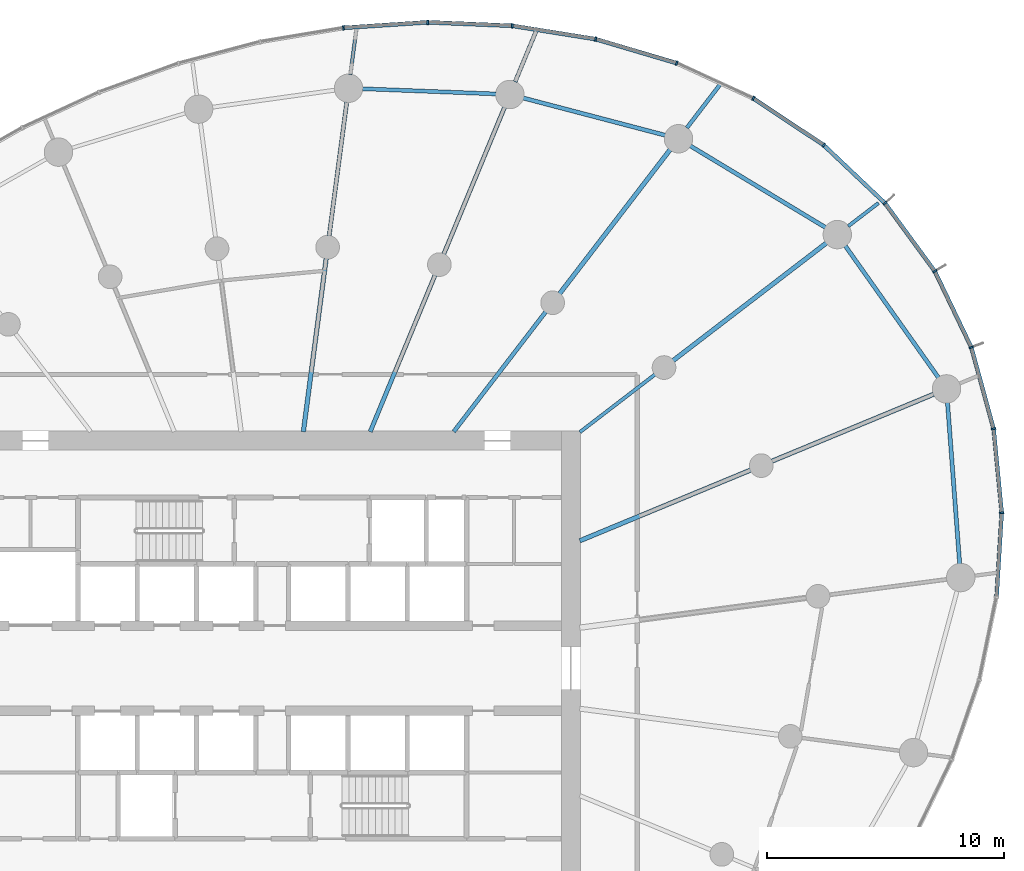
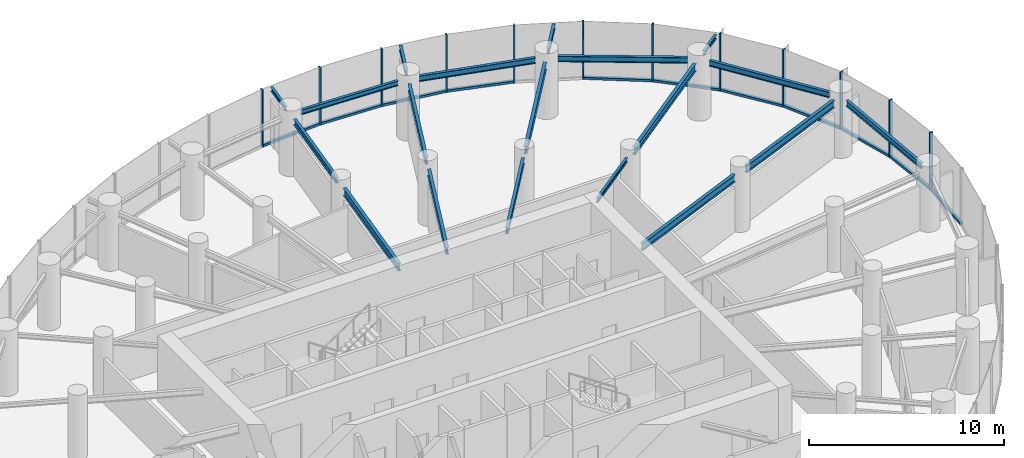
# One storey, part 7 of 17: 23 members, 19 beams, 4 elements without a shape of their own.
"""IFC4 building model written with IfcOpenShell, lengths in metres."""

from ifc_helpers import new_model, si_unit, direction, frame, origin, origin_2d, place, context, subcontext, project, spatial, rectangle, i_section, extrude, source, transform, mapped, material, layer, layer_set, material_profile, profile_set, type_object, element, aggregate, save


model = new_model("IFC4")

# Units and contexts
model_context = context("Model", 3, precision=1e-05, world=origin(), true_north=direction((0.0, 1.0)))
body_context = subcontext(model_context, "Body", "Model", "MODEL_VIEW")
ifc_project = project(units=[si_unit("LENGTHUNIT", "METRE"), si_unit("AREAUNIT", "SQUARE_METRE"), si_unit("VOLUMEUNIT", "CUBIC_METRE"), si_unit("PLANEANGLEUNIT", "RADIAN"), si_unit("MASSUNIT", "GRAM", prefix="KILO")], contexts=[model_context])

# Site, building, storey
site_placement = place(None, origin())
site = spatial("IfcSite", under=ifc_project, at=site_placement, CompositionType="ELEMENT")
building_placement = place(site_placement, origin())
building = spatial("IfcBuilding", under=site, at=building_placement, Name="Spindrift Exchange Tower", CompositionType="ELEMENT")
storey_placement = place(building_placement, frame((0.0, 0.0, 124.89990234375)))
storey = spatial("IfcBuildingStorey", under=building, at=storey_placement, Name="L29", CompositionType="ELEMENT", Elevation=124.89990234375)

# Beams
ifc_material_1 = material(Name="Steel Grade 300", Category="steel")
ifc_material_profile_1 = material_profile(ifc_material_1, i_section(OverallWidth=0.18994140625, OverallDepth=0.45703125, WebThickness=0.009033203125, FlangeThickness=0.014404296875, FilletRadius=0.013916015625, at=origin_2d()), Name="460UB74.6")
ifc_profile_set_1 = profile_set([ifc_material_profile_1], Name="Steel Grade 300")
beam_type_1 = type_object("IfcBeamType", Name="Floor Beam 460UB74.6 Steel Grade 300", PredefinedType="BEAM", material=ifc_profile_set_1)
shared_shape_1 = source(origin(), body_context, "Body", "SweptSolid", [
    extrude(i_section(OverallWidth=0.18994140625, OverallDepth=0.45703125, WebThickness=0.009033203125, FlangeThickness=0.014404296875, FilletRadius=0.013916015625, at=origin_2d()), origin(), (0.0, 0.0, 1.0), 7.808837890625),
])
beam_1_placement = place(storey_placement, frame((64.9814453125, 53.377197265625, 3.37158203125), z_axis=(0.92387965154, 0.382683145003, 0.0), x_axis=(-0.382683145003, 0.92387965154, 0.0)))
element("IfcBeam", 1, at=beam_1_placement, inside=storey, type_object=beam_type_1, Name="L29 radial beam R02A", PredefinedType="BEAM", context=body_context, shape_type="MappedRepresentation", body=[
    mapped(shared_shape_1, transform((0.0, 0.0, 0.0), scale=1.0)),
])
ifc_material_profile_2 = material_profile(ifc_material_1, i_section(OverallWidth=0.14599609375, OverallDepth=0.251953125, WebThickness=0.006103515625, FlangeThickness=0.008544921875, FilletRadius=0.011962890625, at=origin_2d()), Name="250UB31.4")
ifc_profile_set_2 = profile_set([ifc_material_profile_2], Name="Steel Grade 300")
beam_type_2 = type_object("IfcBeamType", Name="Floor Beam 250UB31.4 Steel Grade 300", PredefinedType="BEAM", material=ifc_profile_set_2)
shared_shape_2 = source(origin(), body_context, "Body", "SweptSolid", [
    extrude(i_section(OverallWidth=0.14599609375, OverallDepth=0.251953125, WebThickness=0.006103515625, FlangeThickness=0.008544921875, FilletRadius=0.011962890625, at=origin_2d()), origin(), (0.0, 0.0, 1.0), 3.99560546875),
])
beam_2_placement = place(storey_placement, frame((64.984130859375, 57.963134765625, 3.47412109375), z_axis=(0.793352561574, 0.608762443851, 0.0), x_axis=(-0.608762443851, 0.793352561574, 0.0)))
element("IfcBeam", 2, at=beam_2_placement, inside=storey, type_object=beam_type_2, Name="L29 radial beam R03A", PredefinedType="BEAM", context=body_context, shape_type="MappedRepresentation", body=[
    mapped(shared_shape_2, transform((0.0, 0.0, 0.0), scale=1.0)),
])
ifc_material_profile_3 = material_profile(ifc_material_1, i_section(OverallWidth=0.172119140625, OverallDepth=0.35888671875, WebThickness=0.008056640625, FlangeThickness=0.012939453125, FilletRadius=0.013916015625, at=origin_2d()), Name="360UB56.7")
ifc_profile_set_3 = profile_set([ifc_material_profile_3], Name="Steel Grade 300")
beam_type_3 = type_object("IfcBeamType", Name="Floor Beam 360UB56.7 Steel Grade 300", PredefinedType="BEAM", material=ifc_profile_set_3)
shared_shape_3 = source(origin(), body_context, "Body", "SweptSolid", [
    extrude(i_section(OverallWidth=0.172119140625, OverallDepth=0.35888671875, WebThickness=0.008056640625, FlangeThickness=0.012939453125, FilletRadius=0.013916015625, at=origin_2d()), origin(), (0.0, 0.0, 1.0), 6.37646484375),
])
beam_3_placement = place(storey_placement, frame((59.6611328125, 57.984130859375, 3.420654296875), z_axis=(0.608766669952, 0.793349318747, 0.0), x_axis=(-0.793349318747, 0.608766669952, 0.0)))
element("IfcBeam", 3, at=beam_3_placement, inside=storey, type_object=beam_type_3, Name="L29 radial beam R04A", PredefinedType="BEAM", context=body_context, shape_type="MappedRepresentation", body=[
    mapped(shared_shape_3, transform((0.0, 0.0, 0.0), scale=1.0)),
])
ifc_material_profile_4 = material_profile(ifc_material_1, i_section(OverallWidth=0.177978515625, OverallDepth=0.406005859375, WebThickness=0.0078125, FlangeThickness=0.0126953125, FilletRadius=0.013916015625, at=origin_2d()), Name="410UB59.7")
ifc_profile_set_4 = profile_set([ifc_material_profile_4], Name="Steel Grade 300")
beam_type_4 = type_object("IfcBeamType", Name="Floor Beam 410UB59.7 Steel Grade 300", PredefinedType="BEAM", material=ifc_profile_set_4)
shared_shape_4 = source(origin(), body_context, "Body", "SweptSolid", [
    extrude(i_section(OverallWidth=0.177978515625, OverallDepth=0.406005859375, WebThickness=0.0078125, FlangeThickness=0.0126953125, FilletRadius=0.013916015625, at=origin_2d()), origin(), (0.0, 0.0, 1.0), 7.150634765625),
])
beam_4_placement = place(storey_placement, frame((56.134521484375, 57.9814453125, 3.397216796875), z_axis=(0.382665393358, 0.923887004306, 0.0), x_axis=(-0.923887004306, 0.382665393358, 0.0)))
element("IfcBeam", 4, at=beam_4_placement, inside=storey, type_object=beam_type_4, Name="L29 radial beam R05A", PredefinedType="BEAM", context=body_context, shape_type="MappedRepresentation", body=[
    mapped(shared_shape_4, transform((0.0, 0.0, 0.0), scale=1.0)),
])
shared_shape_5 = source(origin(), body_context, "Body", "SweptSolid", [
    extrude(i_section(OverallWidth=0.18994140625, OverallDepth=0.45703125, WebThickness=0.009033203125, FlangeThickness=0.014404296875, FilletRadius=0.013916015625, at=origin_2d()), origin(), (0.0, 0.0, 1.0), 7.374267578125),
])
beam_5_placement = place(storey_placement, frame((53.31396484375, 57.980224609375, 3.37158203125), z_axis=(0.130539295622, 0.99144313619, 0.0), x_axis=(-0.99144313619, 0.130539295622, 0.0)))
element("IfcBeam", 5, at=beam_5_placement, inside=storey, type_object=beam_type_1, Name="L29 radial beam R06A", PredefinedType="BEAM", context=body_context, shape_type="MappedRepresentation", body=[
    mapped(shared_shape_5, transform((0.0, 0.0, 0.0), scale=1.0)),
])
shared_shape_6 = source(origin(), body_context, "Body", "SweptSolid", [
    extrude(i_section(OverallWidth=0.18994140625, OverallDepth=0.45703125, WebThickness=0.009033203125, FlangeThickness=0.014404296875, FilletRadius=0.013916015625, at=origin_2d()), origin(), (0.0, 0.0, 1.0), 7.400146484375),
])
beam_6_placement = place(storey_placement, frame((73.082763671875, 56.73291015625, 3.37158203125), z_axis=(0.923886957755, 0.382665505749, 0.0), x_axis=(-0.382665505749, 0.923886957755, 0.0)))
element("IfcBeam", 6, at=beam_6_placement, inside=storey, type_object=beam_type_1, Name="L29 radial beam R02B", PredefinedType="BEAM", context=body_context, shape_type="MappedRepresentation", body=[
    mapped(shared_shape_6, transform((0.0, 0.0, 0.0), scale=1.0)),
])
shared_shape_7 = source(origin(), body_context, "Body", "SweptSolid", [
    extrude(i_section(OverallWidth=0.18994140625, OverallDepth=0.45703125, WebThickness=0.009033203125, FlangeThickness=0.014404296875, FilletRadius=0.013916015625, at=origin_2d()), origin(), (0.0, 0.0, 1.0), 8.158447265625),
])
beam_7_placement = place(storey_placement, frame((68.91552734375, 60.979736328125, 3.37158203125), z_axis=(0.793358732539, 0.608754401631, 0.0), x_axis=(-0.608754401631, 0.793358732539, 0.0)))
element("IfcBeam", 7, at=beam_7_placement, inside=storey, type_object=beam_type_1, Name="L29 radial beam R03B", PredefinedType="BEAM", context=body_context, shape_type="MappedRepresentation", body=[
    mapped(shared_shape_7, transform((0.0, 0.0, 0.0), scale=1.0)),
])
shared_shape_8 = source(origin(), body_context, "Body", "SweptSolid", [
    extrude(i_section(OverallWidth=0.18994140625, OverallDepth=0.45703125, WebThickness=0.009033203125, FlangeThickness=0.014404296875, FilletRadius=0.013916015625, at=origin_2d()), origin(), (0.0, 0.0, 1.0), 7.663818359375),
])
beam_8_placement = place(storey_placement, frame((64.127197265625, 63.8046875, 3.37158203125), z_axis=(0.608771227503, 0.793345821546, 0.0), x_axis=(-0.793345821546, 0.608771227503, 0.0)))
element("IfcBeam", 8, at=beam_8_placement, inside=storey, type_object=beam_type_1, Name="L29 radial beam R04B", PredefinedType="BEAM", context=body_context, shape_type="MappedRepresentation", body=[
    mapped(shared_shape_8, transform((0.0, 0.0, 0.0), scale=1.0)),
])
shared_shape_9 = source(origin(), body_context, "Body", "SweptSolid", [
    extrude(i_section(OverallWidth=0.177978515625, OverallDepth=0.406005859375, WebThickness=0.0078125, FlangeThickness=0.0126953125, FilletRadius=0.013916015625, at=origin_2d()), origin(), (0.0, 0.0, 1.0), 6.71240234375),
])
beam_9_placement = place(storey_placement, frame((59.23828125, 65.474853515625, 3.397216796875), z_axis=(0.382669812754, 0.923885173821, 0.0), x_axis=(-0.923885173821, 0.382669812754, 0.0)))
element("IfcBeam", 9, at=beam_9_placement, inside=storey, type_object=beam_type_4, Name="L29 radial beam R05B", PredefinedType="BEAM", context=body_context, shape_type="MappedRepresentation", body=[
    mapped(shared_shape_9, transform((0.0, 0.0, 0.0), scale=1.0)),
])
shared_shape_10 = source(origin(), body_context, "Body", "SweptSolid", [
    extrude(i_section(OverallWidth=0.172119140625, OverallDepth=0.35888671875, WebThickness=0.008056640625, FlangeThickness=0.012939453125, FilletRadius=0.013916015625, at=origin_2d()), origin(), (0.0, 0.0, 1.0), 5.70751953125),
])
beam_10_placement = place(storey_placement, frame((54.40185546875, 66.2431640625, 3.420654296875), z_axis=(0.130507624881, 0.991447305634, 0.0), x_axis=(-0.991447305634, 0.130507624881, 0.0)))
element("IfcBeam", 10, at=beam_10_placement, inside=storey, type_object=beam_type_3, Name="L29 radial beam R06B", PredefinedType="BEAM", context=body_context, shape_type="MappedRepresentation", body=[
    mapped(shared_shape_10, transform((0.0, 0.0, 0.0), scale=1.0)),
])
ifc_material_profile_5 = material_profile(ifc_material_1, i_section(OverallWidth=0.172119140625, OverallDepth=0.35888671875, WebThickness=0.008056640625, FlangeThickness=0.012939453125, FilletRadius=0.013916015625, at=origin_2d()), Name="360UB56.7")
ifc_profile_set_5 = profile_set([ifc_material_profile_5], Name="Steel Grade 300")
beam_type_5 = type_object("IfcBeamType", Name="Edge Beam 360UB56.7 Steel Grade 300", PredefinedType="SPANDREL", material=ifc_profile_set_5)
shared_shape_11 = source(origin(), body_context, "Body", "SweptSolid", [
    extrude(i_section(OverallWidth=0.172119140625, OverallDepth=0.35888671875, WebThickness=0.008056640625, FlangeThickness=0.012939453125, FilletRadius=0.013916015625, at=origin_2d()), origin(), (0.0, 0.0, 1.0), 6.82373046875),
])
beam_11_placement = place(storey_placement, frame((81.0126953125, 52.40380859375, 3.420654296875), z_axis=(-0.075276463877, 0.997162701863, 0.0), x_axis=(-0.997162701863, -0.075276463877, 0.0)))
element("IfcBeam", 11, at=beam_11_placement, inside=storey, type_object=beam_type_5, Name="L29 edge beam E01", PredefinedType="SPANDREL", context=body_context, shape_type="MappedRepresentation", body=[
    mapped(shared_shape_11, transform((0.0, 0.0, 0.0), scale=1.0)),
])
shared_shape_12 = source(origin(), body_context, "Body", "SweptSolid", [
    extrude(i_section(OverallWidth=0.172119140625, OverallDepth=0.35888671875, WebThickness=0.008056640625, FlangeThickness=0.012939453125, FilletRadius=0.013916015625, at=origin_2d()), origin(), (0.0, 0.0, 1.0), 6.81787109375),
])
beam_12_placement = place(storey_placement, frame((80.12060546875, 60.260009765625, 3.420654296875), z_axis=(-0.577526426198, 0.816371990604, 0.0), x_axis=(-0.816371990604, -0.577526426198, 0.0)))
element("IfcBeam", 12, at=beam_12_placement, inside=storey, type_object=beam_type_5, Name="L29 edge beam E02", PredefinedType="SPANDREL", context=body_context, shape_type="MappedRepresentation", body=[
    mapped(shared_shape_12, transform((0.0, 0.0, 0.0), scale=1.0)),
])
shared_shape_13 = source(origin(), body_context, "Body", "SweptSolid", [
    extrude(i_section(OverallWidth=0.172119140625, OverallDepth=0.35888671875, WebThickness=0.008056640625, FlangeThickness=0.012939453125, FilletRadius=0.013916015625, at=origin_2d()), origin(), (0.0, 0.0, 1.0), 6.668701171875),
])
beam_13_placement = place(storey_placement, frame((75.3515625, 66.59912109375, 3.420654296875), z_axis=(-0.856133207479, 0.516755194508, 0.0), x_axis=(-0.516755194508, -0.856133207479, 0.0)))
element("IfcBeam", 13, at=beam_13_placement, inside=storey, type_object=beam_type_5, Name="L29 edge beam E03", PredefinedType="SPANDREL", context=body_context, shape_type="MappedRepresentation", body=[
    mapped(shared_shape_13, transform((0.0, 0.0, 0.0), scale=1.0)),
])
shared_shape_14 = source(origin(), body_context, "Body", "SweptSolid", [
    extrude(i_section(OverallWidth=0.172119140625, OverallDepth=0.35888671875, WebThickness=0.008056640625, FlangeThickness=0.012939453125, FilletRadius=0.013916015625, at=origin_2d()), origin(), (0.0, 0.0, 1.0), 6.197509765625),
])
beam_14_placement = place(storey_placement, frame((68.584716796875, 70.491943359375, 3.420654296875), z_axis=(-0.967254420813, 0.253808757567, 0.0), x_axis=(-0.253808757567, -0.967254420813, 0.0)))
element("IfcBeam", 14, at=beam_14_placement, inside=storey, type_object=beam_type_5, Name="L29 edge beam E04", PredefinedType="SPANDREL", context=body_context, shape_type="MappedRepresentation", body=[
    mapped(shared_shape_14, transform((0.0, 0.0, 0.0), scale=1.0)),
])
ifc_material_profile_6 = material_profile(ifc_material_1, i_section(OverallWidth=0.1650390625, OverallDepth=0.303955078125, WebThickness=0.006103515625, FlangeThickness=0.01025390625, FilletRadius=0.011474609375, at=origin_2d()), Name="310UB40.4")
ifc_profile_set_6 = profile_set([ifc_material_profile_6], Name="Steel Grade 300")
beam_type_6 = type_object("IfcBeamType", Name="Edge Beam 310UB40.4 Steel Grade 300", PredefinedType="SPANDREL", material=ifc_profile_set_6)
shared_shape_15 = source(origin(), body_context, "Body", "SweptSolid", [
    extrude(i_section(OverallWidth=0.1650390625, OverallDepth=0.303955078125, WebThickness=0.006103515625, FlangeThickness=0.01025390625, FilletRadius=0.011474609375, at=origin_2d()), origin(), (0.0, 0.0, 1.0), 5.65185546875),
])
beam_15_placement = place(storey_placement, frame((61.449462890625, 72.234619140625, 3.447998046875), z_axis=(-0.99924397539, 0.038877726865, 0.0), x_axis=(-0.038877726865, -0.99924397539, 0.0)))
element("IfcBeam", 15, at=beam_15_placement, inside=storey, type_object=beam_type_6, Name="L29 edge beam E05", PredefinedType="SPANDREL", context=body_context, shape_type="MappedRepresentation", body=[
    mapped(shared_shape_15, transform((0.0, 0.0, 0.0), scale=1.0)),
])
ifc_material_profile_7 = material_profile(ifc_material_1, i_section(OverallWidth=0.14599609375, OverallDepth=0.251953125, WebThickness=0.006103515625, FlangeThickness=0.008544921875, FilletRadius=0.011962890625, at=origin_2d()), Name="250UB31.4")
ifc_profile_set_7 = profile_set([ifc_material_profile_7], Name="Steel Grade 300")
beam_type_7 = type_object("IfcBeamType", Name="Cantilever Beam 250UB31.4 Steel Grade 300", PredefinedType="BEAM", material=ifc_profile_set_7)
shared_shape_16 = source(origin(), body_context, "Body", "SweptSolid", [
    extrude(i_section(OverallWidth=0.14599609375, OverallDepth=0.251953125, WebThickness=0.006103515625, FlangeThickness=0.008544921875, FilletRadius=0.011962890625, at=origin_2d()), origin(), (0.0, 0.0, 1.0), 1.6142578125),
])
beam_16_placement = place(storey_placement, frame((76.308349609375, 66.652587890625, 3.47412109375), z_axis=(0.793455404802, 0.608628392856, 0.0), x_axis=(-0.608628392856, 0.793455404802, 0.0)))
element("IfcBeam", 16, at=beam_16_placement, inside=storey, type_object=beam_type_7, Name="L29 cantilever beam R03T", PredefinedType="BEAM", context=body_context, shape_type="MappedRepresentation", body=[
    mapped(shared_shape_16, transform((0.0, 0.0, 0.0), scale=1.0)),
])
ifc_material_profile_8 = material_profile(ifc_material_1, i_section(OverallWidth=0.1650390625, OverallDepth=0.303955078125, WebThickness=0.006103515625, FlangeThickness=0.01025390625, FilletRadius=0.011474609375, at=origin_2d()), Name="310UB40.4")
ifc_profile_set_8 = profile_set([ifc_material_profile_8], Name="Steel Grade 300")
beam_type_8 = type_object("IfcBeamType", Name="Cantilever Beam 310UB40.4 Steel Grade 300", PredefinedType="BEAM", material=ifc_profile_set_8)
shared_shape_17 = source(origin(), body_context, "Body", "SweptSolid", [
    extrude(i_section(OverallWidth=0.1650390625, OverallDepth=0.303955078125, WebThickness=0.006103515625, FlangeThickness=0.01025390625, FilletRadius=0.011474609375, at=origin_2d()), origin(), (0.0, 0.0, 1.0), 2.2978515625),
])
beam_17_placement = place(storey_placement, frame((69.498779296875, 70.804931640625, 3.447998046875), z_axis=(0.608786129894, 0.793334386024, 0.0), x_axis=(-0.793334386024, 0.608786129894, 0.0)))
element("IfcBeam", 17, at=beam_17_placement, inside=storey, type_object=beam_type_8, Name="L29 cantilever beam R04T", PredefinedType="BEAM", context=body_context, shape_type="MappedRepresentation", body=[
    mapped(shared_shape_17, transform((0.0, 0.0, 0.0), scale=1.0)),
])
shared_shape_18 = source(origin(), body_context, "Body", "SweptSolid", [
    extrude(i_section(OverallWidth=0.1650390625, OverallDepth=0.303955078125, WebThickness=0.006103515625, FlangeThickness=0.01025390625, FilletRadius=0.011474609375, at=origin_2d()), origin(), (0.0, 0.0, 1.0), 2.310791015625),
])
beam_18_placement = place(storey_placement, frame((62.2509765625, 72.748046875, 3.447998046875), z_axis=(0.38265659553, 0.923890648236, 0.0), x_axis=(-0.923890648236, 0.38265659553, 0.0)))
element("IfcBeam", 18, at=beam_18_placement, inside=storey, type_object=beam_type_8, Name="L29 cantilever beam R05T", PredefinedType="BEAM", context=body_context, shape_type="MappedRepresentation", body=[
    mapped(shared_shape_18, transform((0.0, 0.0, 0.0), scale=1.0)),
])
shared_shape_19 = source(origin(), body_context, "Body", "SweptSolid", [
    extrude(i_section(OverallWidth=0.14599609375, OverallDepth=0.251953125, WebThickness=0.006103515625, FlangeThickness=0.008544921875, FilletRadius=0.011962890625, at=origin_2d()), origin(), (0.0, 0.0, 1.0), 1.918701171875),
])
beam_19_placement = place(storey_placement, frame((55.298095703125, 73.0517578125, 3.47412109375), z_axis=(0.130546671118, 0.991442165061, 0.0), x_axis=(-0.991442165061, 0.130546671118, 0.0)))
element("IfcBeam", 19, at=beam_19_placement, inside=storey, type_object=beam_type_7, Name="L29 cantilever beam R06T", PredefinedType="BEAM", context=body_context, shape_type="MappedRepresentation", body=[
    mapped(shared_shape_19, transform((0.0, 0.0, 0.0), scale=1.0)),
])

# Curtain wall, member
ifc_material_2 = material(Name="Fritted laminated glass with bronze frame", Category="glass")
ifc_layer = layer(ifc_material_2, 0.18994140625)
ifc_layer_set = layer_set([ifc_layer], Name="ZONE 2 BRONZE FRITTED WALL")
curtain_wall_type = type_object("IfcCurtainWallType", Name="ZONE 2 BRONZE FRITTED WALL", PredefinedType="NOTDEFINED", material=ifc_layer_set)
curtain_wall_1_placement = place(storey_placement, origin())
curtain_wall_1 = element("IfcCurtainWall", 20, at=curtain_wall_1_placement, inside=storey, type_object=curtain_wall_type, Name="L29 Zone 2 Bronze Fritted Wall run 2", PredefinedType="NOTDEFINED")
ifc_material_3 = material(Name="Bronze anodised aluminium", Category="aluminium")
ifc_material_profile_9 = material_profile(ifc_material_3, rectangle(XDim=0.169921875, YDim=0.139892578125, at=origin_2d()), Name="ZONE 2 BRONZE FRITTED WALL TRANSOM 170X140")
ifc_profile_set_9 = profile_set([ifc_material_profile_9], Name="Bronze anodised aluminium")
member_type_1 = type_object("IfcMemberType", Name="ZONE 2 BRONZE FRITTED WALL TRANSOM 170X140", PredefinedType="USERDEFINED", material=ifc_profile_set_9)
shared_shape_20 = source(origin(), body_context, "Body", "SweptSolid", [
    extrude(rectangle(XDim=0.169921875, YDim=0.139892578125, at=origin_2d()), origin(), (0.0, 0.0, 1.0), 3.4912109375),
])
member_1_placement = place(storey_placement, frame((58.527587890625, 75.258544921875, 0.070068359375), z_axis=(-0.997837142635, -0.06573459346, 0.0), x_axis=(0.06573459346, -0.997837142635, 0.0)))
member_1 = element("IfcMember", 21, at=member_1_placement, type_object=member_type_1, Name="L29 transom CW-2.8", ObjectType="TRANSOM", PredefinedType="USERDEFINED", context=body_context, shape_type="MappedRepresentation", body=[
    mapped(shared_shape_20, transform((0.0, 0.0, 0.0), scale=1.0)),
])

curtain_wall_2_placement = place(storey_placement, origin())
curtain_wall_2 = element("IfcCurtainWall", 22, at=curtain_wall_2_placement, inside=storey, type_object=curtain_wall_type, Name="L29 Zone 2 Bronze Fritted Wall run 1", PredefinedType="NOTDEFINED")
shared_shape_21 = source(origin(), body_context, "Body", "SweptSolid", [
    extrude(rectangle(XDim=0.169921875, YDim=0.139892578125, at=origin_2d()), origin(), (0.0, 0.0, 1.0), 3.490478515625),
])
member_2_placement = place(storey_placement, frame((65.611572265625, 74.5556640625, 0.070068359375), z_axis=(-0.987450232203, 0.157930487627, 0.0), x_axis=(-0.157930487627, -0.987450232203, 0.0)))
member_2 = element("IfcMember", 23, at=member_2_placement, type_object=member_type_1, Name="L29 transom CW-2.6", ObjectType="TRANSOM", PredefinedType="USERDEFINED", context=body_context, shape_type="MappedRepresentation", body=[
    mapped(shared_shape_21, transform((0.0, 0.0, 0.0), scale=1.0)),
])

curtain_wall_3_placement = place(storey_placement, origin())
curtain_wall_3 = element("IfcCurtainWall", 24, at=curtain_wall_3_placement, inside=storey, type_object=curtain_wall_type, Name="L29 Zone 2 Bronze Fritted Wall run 9", PredefinedType="NOTDEFINED")
shared_shape_22 = source(origin(), body_context, "Body", "SweptSolid", [
    extrude(rectangle(XDim=0.169921875, YDim=0.139892578125, at=origin_2d()), origin(), (0.0, 0.0, 1.0), 3.48828125),
])
member_3_placement = place(storey_placement, frame((82.435546875, 58.138671875, 0.070068359375), z_axis=(-0.263721419693, 0.964598886997, 0.0), x_axis=(-0.964598886997, -0.263721419693, 0.0)))
member_3 = element("IfcMember", 25, at=member_3_placement, type_object=member_type_1, Name="L29 transom CW-2.50", ObjectType="TRANSOM", PredefinedType="USERDEFINED", context=body_context, shape_type="MappedRepresentation", body=[
    mapped(shared_shape_22, transform((0.0, 0.0, 0.0), scale=1.0)),
])

# Member
shared_shape_23 = source(origin(), body_context, "Body", "SweptSolid", [
    extrude(rectangle(XDim=0.169921875, YDim=0.139892578125, at=origin_2d()), origin(), (0.0, 0.0, 1.0), 3.48779296875),
])
member_4_placement = place(storey_placement, frame((79.94189453125, 64.781494140625, 0.070068359375), z_axis=(-0.590641195111, 0.80693430875, 0.0), x_axis=(-0.80693430875, -0.590641195111, 0.0)))
member_4 = element("IfcMember", 26, at=member_4_placement, type_object=member_type_1, Name="L29 transom CW-2.1", ObjectType="TRANSOM", PredefinedType="USERDEFINED", context=body_context, shape_type="MappedRepresentation", body=[
    mapped(shared_shape_23, transform((0.0, 0.0, 0.0), scale=1.0)),
])

member_5_placement = place(storey_placement, frame((81.489501953125, 61.5732421875, 0.070068359375), z_axis=(-0.432735618899, 0.901520872824, 0.0), x_axis=(-0.901520872824, -0.432735618899, 0.0)))
member_5 = element("IfcMember", 27, at=member_5_placement, type_object=member_type_1, Name="L29 transom CW-2.51", ObjectType="TRANSOM", PredefinedType="USERDEFINED", context=body_context, shape_type="MappedRepresentation", body=[
    mapped(shared_shape_23, transform((0.0, 0.0, 0.0), scale=1.0)),
])

# Curtain wall, member
curtain_wall_4_placement = place(storey_placement, origin())
curtain_wall_4 = element("IfcCurtainWall", 28, at=curtain_wall_4_placement, inside=storey, type_object=curtain_wall_type, Name="L29 Zone 2 Bronze Fritted Wall run 8", PredefinedType="NOTDEFINED")
shared_shape_24 = source(origin(), body_context, "Body", "SweptSolid", [
    extrude(rectangle(XDim=0.169921875, YDim=0.139892578125, at=origin_2d()), origin(), (0.0, 0.0, 1.0), 3.489501953125),
])
member_6_placement = place(storey_placement, frame((82.572021484375, 51.034912109375, 0.070068359375), z_axis=(0.061080189865, 0.998132862101, 0.0), x_axis=(-0.998132862101, 0.061080189865, 0.0)))
member_6 = element("IfcMember", 29, at=member_6_placement, type_object=member_type_1, Name="L29 transom CW-2.48", ObjectType="TRANSOM", PredefinedType="USERDEFINED", context=body_context, shape_type="MappedRepresentation", body=[
    mapped(shared_shape_24, transform((0.0, 0.0, 0.0), scale=1.0)),
])
aggregate(curtain_wall_4, [member_6])

# Member
shared_shape_25 = source(origin(), body_context, "Body", "SweptSolid", [
    extrude(rectangle(XDim=0.169921875, YDim=0.139892578125, at=origin_2d()), origin(), (0.0, 0.0, 1.0), 3.490966796875),
])
member_7_placement = place(storey_placement, frame((62.09033203125, 75.114501953125, 0.070068359375), z_axis=(-0.999139726387, 0.041470557692, 0.0), x_axis=(-0.041470557692, -0.999139726387, 0.0)))
member_7 = element("IfcMember", 30, at=member_7_placement, type_object=member_type_1, Name="L29 transom CW-2.7", ObjectType="TRANSOM", PredefinedType="USERDEFINED", context=body_context, shape_type="MappedRepresentation", body=[
    mapped(shared_shape_25, transform((0.0, 0.0, 0.0), scale=1.0)),
])

shared_shape_26 = source(origin(), body_context, "Body", "SweptSolid", [
    extrude(rectangle(XDim=0.169921875, YDim=0.139892578125, at=origin_2d()), origin(), (0.0, 0.0, 1.0), 3.488037109375),
])
member_8_placement = place(storey_placement, frame((77.83251953125, 67.652099609375, 0.070068359375), z_axis=(-0.726059353863, 0.687632034353, 0.0), x_axis=(-0.687632034353, -0.726059353863, 0.0)))
member_8 = element("IfcMember", 31, at=member_8_placement, type_object=member_type_1, Name="L29 transom CW-2.2", ObjectType="TRANSOM", PredefinedType="USERDEFINED", context=body_context, shape_type="MappedRepresentation", body=[
    mapped(shared_shape_26, transform((0.0, 0.0, 0.0), scale=1.0)),
])

shared_shape_27 = source(origin(), body_context, "Body", "SweptSolid", [
    extrude(rectangle(XDim=0.169921875, YDim=0.139892578125, at=origin_2d()), origin(), (0.0, 0.0, 1.0), 3.48876953125),
])
member_9_placement = place(storey_placement, frame((75.24169921875, 70.09716796875, 0.070068359375), z_axis=(-0.832319342874, 0.554296411208, 0.0), x_axis=(-0.554296411208, -0.832319342874, 0.0)))
member_9 = element("IfcMember", 32, at=member_9_placement, type_object=member_type_1, Name="L29 transom CW-2.3", ObjectType="TRANSOM", PredefinedType="USERDEFINED", context=body_context, shape_type="MappedRepresentation", body=[
    mapped(shared_shape_27, transform((0.0, 0.0, 0.0), scale=1.0)),
])

member_10_placement = place(storey_placement, frame((82.783935546875, 54.592529296875, 0.070068359375), z_axis=(-0.09594175395, 0.995386949808, 0.0), x_axis=(-0.995386949808, -0.09594175395, 0.0)))
member_10 = element("IfcMember", 33, at=member_10_placement, type_object=member_type_1, Name="L29 transom CW-2.49", ObjectType="TRANSOM", PredefinedType="USERDEFINED", context=body_context, shape_type="MappedRepresentation", body=[
    mapped(shared_shape_27, transform((0.0, 0.0, 0.0), scale=1.0)),
])

shared_shape_28 = source(origin(), body_context, "Body", "SweptSolid", [
    extrude(rectangle(XDim=0.169921875, YDim=0.139892578125, at=origin_2d()), origin(), (0.0, 0.0, 1.0), 3.489990234375),
])
member_11_placement = place(storey_placement, frame((69.03125, 73.549072265625, 0.070068359375), z_axis=(-0.958924340236, 0.283661963792, 0.0), x_axis=(-0.283661963792, -0.958924340236, 0.0)))
member_11 = element("IfcMember", 34, at=member_11_placement, type_object=member_type_1, Name="L29 transom CW-2.5", ObjectType="TRANSOM", PredefinedType="USERDEFINED", context=body_context, shape_type="MappedRepresentation", body=[
    mapped(shared_shape_28, transform((0.0, 0.0, 0.0), scale=1.0)),
])

ifc_material_profile_10 = material_profile(ifc_material_3, rectangle(XDim=0.074951171875, YDim=0.18994140625, at=origin_2d()), Name="ZONE 2 BRONZE FRITTED WALL MULLION 75X190")
ifc_profile_set_10 = profile_set([ifc_material_profile_10], Name="Bronze anodised aluminium")
member_type_2 = type_object("IfcMemberType", Name="ZONE 2 BRONZE FRITTED WALL MULLION 75X190", PredefinedType="MULLION", material=ifc_profile_set_10)
shared_shape_29 = source(origin(), body_context, "Body", "SweptSolid", [
    extrude(rectangle(XDim=0.074951171875, YDim=0.18994140625, at=origin_2d()), origin(), (0.0, 0.0, 1.0), 3.60009765625),
])
member_12_placement = place(storey_placement, frame((79.964111328125, 64.751220703125, 0.0), z_axis=(0.0, 0.0, 1.0), x_axis=(-0.51388047744, 0.857861792427, 0.0)))
member_12 = element("IfcMember", 35, at=member_12_placement, type_object=member_type_2, Name="L29 mullion CW-2.1", PredefinedType="MULLION", context=body_context, shape_type="MappedRepresentation", body=[
    mapped(shared_shape_29, transform((0.0, 0.0, 0.0), scale=1.0)),
])

member_13_placement = place(storey_placement, frame((77.859619140625, 67.626220703125, 0.0), z_axis=(0.0, 0.0, 1.0), x_axis=(-0.661039034797, 0.750351513942, 0.0)))
member_13 = element("IfcMember", 36, at=member_13_placement, type_object=member_type_2, Name="L29 mullion CW-2.2", PredefinedType="MULLION", context=body_context, shape_type="MappedRepresentation", body=[
    mapped(shared_shape_29, transform((0.0, 0.0, 0.0), scale=1.0)),
])

member_14_placement = place(storey_placement, frame((75.272705078125, 70.076416015625, 0.0), z_axis=(0.0, 0.0, 1.0), x_axis=(-0.78202906587, 0.623241959543, 0.0)))
member_14 = element("IfcMember", 37, at=member_14_placement, type_object=member_type_2, Name="L29 mullion CW-2.3", PredefinedType="MULLION", context=body_context, shape_type="MappedRepresentation", body=[
    mapped(shared_shape_29, transform((0.0, 0.0, 0.0), scale=1.0)),
])

member_15_placement = place(storey_placement, frame((72.306640625, 72.0517578125, 0.0), z_axis=(0.0, 0.0, 1.0), x_axis=(-0.873286691021, 0.487206686412, 0.0)))
member_15 = element("IfcMember", 38, at=member_15_placement, type_object=member_type_2, Name="L29 mullion CW-2.4", PredefinedType="MULLION", context=body_context, shape_type="MappedRepresentation", body=[
    mapped(shared_shape_29, transform((0.0, 0.0, 0.0), scale=1.0)),
])

member_16_placement = place(storey_placement, frame((69.067138671875, 73.53857421875, 0.0), z_axis=(0.0, 0.0, 1.0), x_axis=(-0.936270928132, 0.351278734247, 0.0)))
member_16 = element("IfcMember", 39, at=member_16_placement, type_object=member_type_2, Name="L29 mullion CW-2.5", PredefinedType="MULLION", context=body_context, shape_type="MappedRepresentation", body=[
    mapped(shared_shape_29, transform((0.0, 0.0, 0.0), scale=1.0)),
])

member_17_placement = place(storey_placement, frame((65.6484375, 74.5498046875, 0.0), z_axis=(0.0, 0.0, 1.0), x_axis=(-0.975214313149, 0.221262385934, 0.0)))
member_17 = element("IfcMember", 40, at=member_17_placement, type_object=member_type_2, Name="L29 mullion CW-2.6", PredefinedType="MULLION", context=body_context, shape_type="MappedRepresentation", body=[
    mapped(shared_shape_29, transform((0.0, 0.0, 0.0), scale=1.0)),
])

aggregate(curtain_wall_2, [member_12, member_4, member_13, member_8, member_14, member_9, member_15, member_16, member_11, member_17, member_2])

member_18_placement = place(storey_placement, frame((62.127685546875, 75.11279296875, 0.0), z_axis=(0.0, 0.0, 1.0), x_axis=(-0.994997195855, 0.099902854015, 0.0)))
member_18 = element("IfcMember", 41, at=member_18_placement, type_object=member_type_2, Name="L29 mullion CW-2.7", PredefinedType="MULLION", context=body_context, shape_type="MappedRepresentation", body=[
    mapped(shared_shape_29, transform((0.0, 0.0, 0.0), scale=1.0)),
])

member_19_placement = place(storey_placement, frame((58.56494140625, 75.260986328125, 0.0), z_axis=(0.0, 0.0, 1.0), x_axis=(-0.999926590277, -0.012116685095, 0.0)))
member_19 = element("IfcMember", 42, at=member_19_placement, type_object=member_type_2, Name="L29 mullion CW-2.8", PredefinedType="MULLION", context=body_context, shape_type="MappedRepresentation", body=[
    mapped(shared_shape_29, transform((0.0, 0.0, 0.0), scale=1.0)),
])

member_20_placement = place(storey_placement, frame((55.006591796875, 75.026611328125, 0.0), z_axis=(0.0, 0.0, 1.0), x_axis=(-0.993339978295, -0.115220169764, 0.0)))
member_20 = element("IfcMember", 43, at=member_20_placement, type_object=member_type_2, Name="L29 mullion CW-2.9", PredefinedType="MULLION", context=body_context, shape_type="MappedRepresentation", body=[
    mapped(shared_shape_29, transform((0.0, 0.0, 0.0), scale=1.0)),
])

aggregate(curtain_wall_1, [member_18, member_7, member_19, member_1, member_20])

member_21_placement = place(storey_placement, frame((82.78759765625, 54.55517578125, 0.0), z_axis=(0.0, 0.0, 1.0), x_axis=(-0.017498744205, 0.999846885254, 0.0)))
member_21 = element("IfcMember", 44, at=member_21_placement, type_object=member_type_2, Name="L29 mullion CW-2.49", PredefinedType="MULLION", context=body_context, shape_type="MappedRepresentation", body=[
    mapped(shared_shape_29, transform((0.0, 0.0, 0.0), scale=1.0)),
])

member_22_placement = place(storey_placement, frame((82.445556640625, 58.1025390625, 0.0), z_axis=(0.0, 0.0, 1.0), x_axis=(-0.180504614784, 0.983574137542, 0.0)))
member_22 = element("IfcMember", 45, at=member_22_placement, type_object=member_type_2, Name="L29 mullion CW-2.50", PredefinedType="MULLION", context=body_context, shape_type="MappedRepresentation", body=[
    mapped(shared_shape_29, transform((0.0, 0.0, 0.0), scale=1.0)),
])

member_23_placement = place(storey_placement, frame((81.505859375, 61.53955078125, 0.0), z_axis=(0.0, 0.0, 1.0), x_axis=(-0.349658777385, 0.936877120757, 0.0)))
member_23 = element("IfcMember", 46, at=member_23_placement, type_object=member_type_2, Name="L29 mullion CW-2.51", PredefinedType="MULLION", context=body_context, shape_type="MappedRepresentation", body=[
    mapped(shared_shape_29, transform((0.0, 0.0, 0.0), scale=1.0)),
])

aggregate(curtain_wall_3, [member_21, member_10, member_22, member_3, member_23, member_5])

save(model, "model.ifc")
